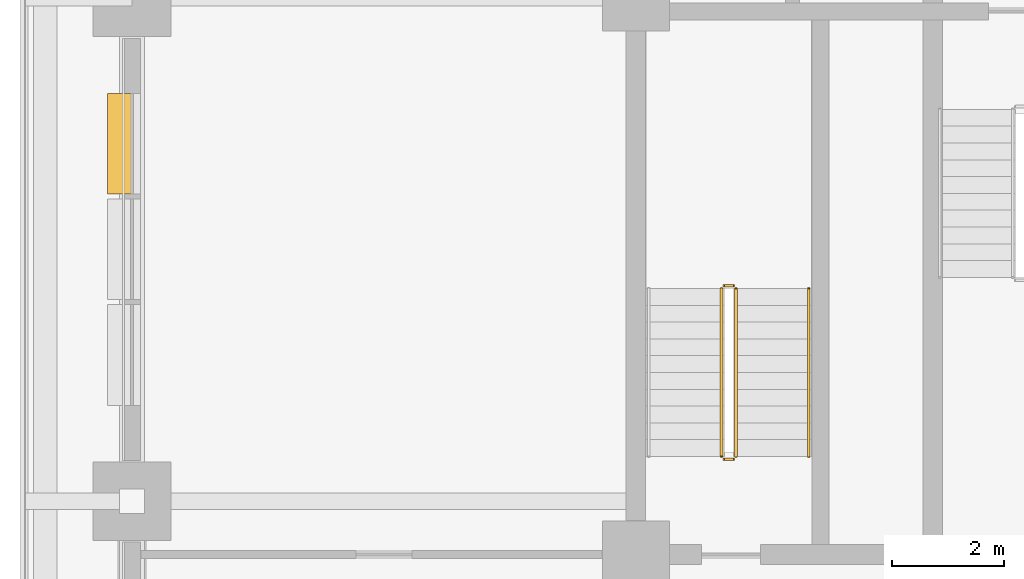
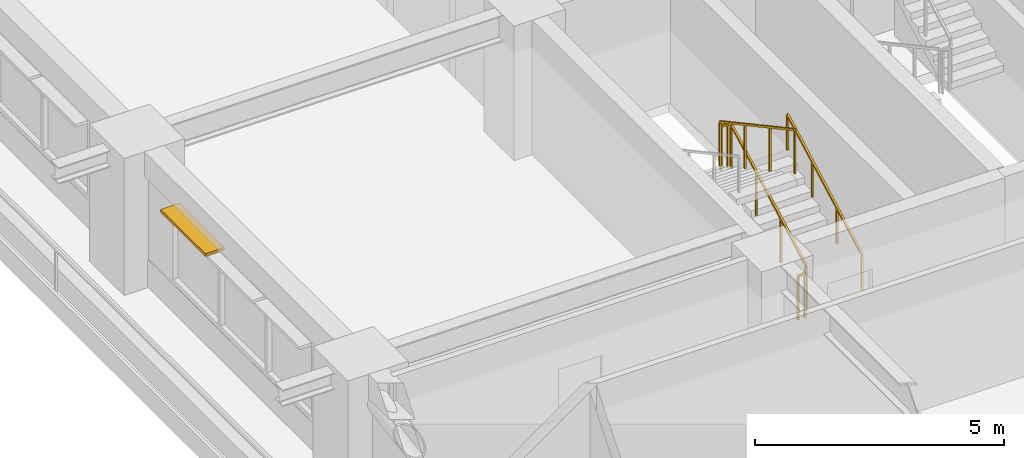
# One storey, part 14 of 20: 5 railings, 1 shading device.
"""IFC4 building model written with IfcOpenShell, lengths in metres."""

import ifcopenshell
import ifcopenshell.guid

model = None  # the IFC model being written
_history = None  # IfcOwnerHistory: only IFC2X3 demands one
_inside = {}  # id of a spatial element -> (the spatial element, [elements in it])
_under = {}  # id of a project, library or spatial element -> (it, [spatial elements below it])
_declared = {}  # id of a project -> (the project, [libraries it declares])
_typed = {}  # id of a type object -> (the type object, [elements of that type])
_made_of = {}  # id of a material, layer set ... -> (it, [elements and type objects made of it])


def new_model(schema):
    """Start an empty IFC model of exactly this schema.

    Asked for "IFC4X3", IfcOpenShell would pick the latest addendum, in which some entities
    have other attributes; the version numbers below select the first issue.
    IFC2X3 requires an IfcOwnerHistory on every rooted entity: one is made here for all.
    """
    global model, _history
    if schema == "IFC4X3":
        model = ifcopenshell.file(schema_version=(4, 3, 0, 0))
    else:
        model = ifcopenshell.file(schema=schema)
    _inside.clear()
    _under.clear()
    _declared.clear()
    _typed.clear()
    _made_of.clear()
    _history = None
    if model.schema == "IFC2X3":
        org = make("IfcOrganization", Name="unknown")
        user = make(
            "IfcPersonAndOrganization",
            ThePerson=make("IfcPerson", FamilyName="unknown"),
            TheOrganization=org,
        )
        app = make(
            "IfcApplication",
            ApplicationDeveloper=org,
            Version="unknown",
            ApplicationFullName="unknown",
            ApplicationIdentifier="unknown",
        )
        _history = make(
            "IfcOwnerHistory",
            OwningUser=user,
            OwningApplication=app,
            ChangeAction="ADDED",
            CreationDate=0,
        )
    return model


def make(cls, **values):
    """One entity of the class cls with the attributes given. An attribute that is None is left unset."""
    return model.create_entity(
        cls, **{name: value for name, value in values.items() if value is not None}
    )


def rooted(cls, **values):
    """An entity with a GlobalId (a new one), such as an element, a storey or a relation."""
    return make(cls, GlobalId=ifcopenshell.guid.new(), OwnerHistory=_history, **values)


def si_unit(unit_type, name, prefix=None):
    """IfcSIUnit, for example si_unit("LENGTHUNIT", "METRE", prefix="MILLI")."""
    return make("IfcSIUnit", UnitType=unit_type, Prefix=prefix, Name=name)


def assignment(units):
    """IfcUnitAssignment: the units of a project."""
    return None if units is None else make("IfcUnitAssignment", Units=units)


def point(xyz):
    """IfcCartesianPoint."""
    return None if xyz is None else make("IfcCartesianPoint", Coordinates=xyz)


def direction(xyz):
    """IfcDirection."""
    return None if xyz is None else make("IfcDirection", DirectionRatios=xyz)


def frame(location, z_axis=None, x_axis=None):
    """IfcAxis2Placement3D, a coordinate frame: its origin and axes. An axis left out is left unset."""
    return make(
        "IfcAxis2Placement3D",
        Location=point(location),
        Axis=direction(z_axis),
        RefDirection=direction(x_axis),
    )


def frame_2d(location, x_axis=None):
    """IfcAxis2Placement2D, a coordinate frame in the plane: its origin and x axis."""
    return make(
        "IfcAxis2Placement2D", Location=point(location), RefDirection=direction(x_axis)
    )


def origin():
    """The frame at (0, 0, 0) with its axes left unset."""
    return frame((0.0, 0.0, 0.0))


def origin_2d():
    """The frame at (0, 0) in the plane with its x axis left unset."""
    return frame_2d((0.0, 0.0))


def place(relative_to, where):
    """IfcLocalPlacement: puts the frame where relative to a parent placement (None: the world)."""
    return make(
        "IfcLocalPlacement", PlacementRelTo=relative_to, RelativePlacement=where
    )


def context(
    kind, dimensions, precision=None, world=None, true_north=None, identifier=None
):
    """IfcGeometricRepresentationContext, for example the 3D "Model" context."""
    return make(
        "IfcGeometricRepresentationContext",
        ContextIdentifier=identifier,
        ContextType=kind,
        CoordinateSpaceDimension=dimensions,
        Precision=precision,
        WorldCoordinateSystem=world,
        TrueNorth=true_north,
    )


def subcontext(parent, identifier, kind, view, scale=None):
    """IfcGeometricRepresentationSubContext, for example "Body" below "Model"."""
    return make(
        "IfcGeometricRepresentationSubContext",
        ContextIdentifier=identifier,
        ContextType=kind,
        ParentContext=parent,
        TargetScale=scale,
        TargetView=view,
    )


def project(units=None, contexts=None):
    """IfcProject with its units and contexts."""
    return rooted(
        "IfcProject",
        Name="project",
        RepresentationContexts=contexts,
        UnitsInContext=assignment(units),
    )


def spatial(cls, under=None, at=None, **own):
    """A site, building, storey or space (cls), placed at a placement, below another one or the project."""
    s = rooted(cls, ObjectPlacement=at, **own)
    if under is not None:
        _under.setdefault(under.id(), (under, []))[1].append(s)
    return s


def profile(cls, at=None, kind="AREA", **sizes):
    """A parametric profile (cls). Its sizes go by their IFC names, for example OverallWidth=200.0."""
    return make(cls, ProfileType=kind, Position=at, **sizes)


def rectangle(**sizes):
    """IfcRectangleProfileDef."""
    return profile("IfcRectangleProfileDef", **sizes)


def extrude(swept, where, along, depth):
    """IfcExtrudedAreaSolid: the profile swept, set in the frame where, extruded along a direction by depth."""
    return make(
        "IfcExtrudedAreaSolid",
        SweptArea=swept,
        Position=where,
        ExtrudedDirection=direction(along),
        Depth=depth,
    )


def shape(context_of_items, identifier, shape_type, items):
    """IfcShapeRepresentation: the items that make up one representation, for example the "Body"."""
    return make(
        "IfcShapeRepresentation",
        ContextOfItems=context_of_items,
        RepresentationIdentifier=identifier,
        RepresentationType=shape_type,
        Items=items,
    )


def material(Name=None, Category=None):
    """IfcMaterial."""
    return make("IfcMaterial", Name=Name, Category=Category)


def layer(
    of_material, thickness, ventilated=None, Name=None, Category=None, Priority=None
):
    """IfcMaterialLayer: one layer of a wall or slab, of a material (None: an air gap)."""
    return make(
        "IfcMaterialLayer",
        Material=of_material,
        LayerThickness=thickness,
        IsVentilated=ventilated,
        Name=Name,
        Category=Category,
        Priority=Priority,
    )


def layer_set(layers, Name=None):
    """IfcMaterialLayerSet."""
    return make("IfcMaterialLayerSet", MaterialLayers=layers, LayerSetName=Name)


def made_of(thing, what):
    """Note that an element or type object is made of a material, layer set ...; save() writes the relation."""
    if what is not None:
        _made_of.setdefault(what.id(), (what, []))[1].append(thing)
    return thing


def type_object(cls, material=None, **own):
    """A type object (cls), such as IfcWallType, which elements share."""
    return made_of(rooted(cls, **own), material)


def element(
    cls,
    number,
    at=None,
    inside=None,
    cuts=None,
    type_object=None,
    material=None,
    context=None,
    identifier="Body",
    shape_type=None,
    held_by="IfcProductDefinitionShape",
    body=None,
    shapes=None,
    **own,
):
    """One element of the class cls, such as IfcWall. Its Tag is "e" and its number.

    at: its placement. inside: the storey or other place that contains it. cuts: it is an
    opening in that element (IfcRelVoidsElement). A single representation is given by context,
    identifier, shape_type and body (its items); several are given by shapes. held_by: the class
    of the entity that holds the representations. save() writes the other relations.
    """
    e = rooted(cls, Tag="e%d" % number, ObjectPlacement=at, **own)
    if body is not None:
        shapes = [shape(context, identifier, shape_type, body)]
    if shapes is not None:
        e.Representation = make(held_by, Representations=shapes)
    if inside is not None:
        _inside.setdefault(inside.id(), (inside, []))[1].append(e)
    if cuts is not None:
        rooted(
            "IfcRelVoidsElement", RelatingBuildingElement=cuts, RelatedOpeningElement=e
        )
    if type_object is not None:
        _typed.setdefault(type_object.id(), (type_object, []))[1].append(e)
    return made_of(e, material)


def aggregate(whole, parts):
    """IfcRelAggregates: a whole, such as a stair, and the parts it consists of."""
    return rooted("IfcRelAggregates", RelatingObject=whole, RelatedObjects=parts)


def save(model, path):
    """Write the relations noted so far, then the file.

    IfcRelAggregates (storeys below a building ...), IfcRelContainedInSpatialStructure (elements
    in a storey), IfcRelDefinesByType, IfcRelAssociatesMaterial and IfcRelDeclares: one each for
    every whole, place, type object, material and project.
    """
    for whole, parts in _under.values():
        aggregate(whole, parts)
    for where, things in _inside.values():
        rooted(
            "IfcRelContainedInSpatialStructure",
            RelatedElements=things,
            RelatingStructure=where,
        )
    for kind, things in _typed.values():
        rooted("IfcRelDefinesByType", RelatedObjects=things, RelatingType=kind)
    for what, things in _made_of.values():
        rooted("IfcRelAssociatesMaterial", RelatedObjects=things, RelatingMaterial=what)
    for by, libraries in _declared.values():
        rooted("IfcRelDeclares", RelatingContext=by, RelatedDefinitions=libraries)
    model.write(path)


model = new_model("IFC4")

# Units and contexts
model_context = context("Model", 3, precision=1e-05, world=origin(), true_north=direction((0.0, 1.0)))
body_context = subcontext(model_context, "Body", "Model", "MODEL_VIEW")
ifc_project = project(units=[si_unit("LENGTHUNIT", "METRE"), si_unit("AREAUNIT", "SQUARE_METRE"), si_unit("VOLUMEUNIT", "CUBIC_METRE"), si_unit("PLANEANGLEUNIT", "RADIAN"), si_unit("MASSUNIT", "GRAM", prefix="KILO")], contexts=[model_context])

# Site, building, storey
site_placement = place(None, origin())
site = spatial("IfcSite", under=ifc_project, at=site_placement, CompositionType="ELEMENT")
building_placement = place(site_placement, origin())
building = spatial("IfcBuilding", under=site, at=building_placement, Name="Zulmaris Gate Convention Tower", CompositionType="ELEMENT")
storey_placement = place(building_placement, frame((0.0, 0.0, 75.0400390625)))
storey = spatial("IfcBuildingStorey", under=building, at=storey_placement, Name="L18", CompositionType="ELEMENT", Elevation=75.0400390625)

# Railings
ifc_material_1 = material(Name="Painted Galvanised Steel", Category="steel")
railing_type_1 = type_object("IfcRailingType", Name="RL-STG-1150", PredefinedType="GUARDRAIL", material=ifc_material_1)
railing_1_placement = place(storey_placement, frame((-18.2099609375, -8.199951171875, 0.162109375)))
element("IfcRailing", 1, at=railing_1_placement, inside=storey, type_object=railing_type_1, Name="L18 ST-3 stair guard 1", PredefinedType="GUARDRAIL", context=body_context, shape_type="SweptSolid", body=[
    extrude(rectangle(XDim=0.048095703125, YDim=0.048095703125, at=origin_2d()), frame((0.0, 0.0, 1.076171875), z_axis=(0.0, 0.8795616155, 0.475784998228), x_axis=(-1.0, 0.0, 0.0)), (0.0, 0.0, 1.0), 3.410888671875),
    extrude(rectangle(XDim=0.0419921875, YDim=0.0419921875, at=origin_2d()), origin(), (0.0, 0.0, 1.0), 1.052001953125),
    extrude(rectangle(XDim=0.0419921875, YDim=0.0419921875, at=origin_2d()), frame((0.0, 1.0, 0.541015625)), (0.0, 0.0, 1.0), 1.052001953125),
    extrude(rectangle(XDim=0.0419921875, YDim=0.0419921875, at=origin_2d()), frame((0.0, 2.0, 1.081787109375)), (0.0, 0.0, 1.0), 1.052001953125),
    extrude(rectangle(XDim=0.0419921875, YDim=0.0419921875, at=origin_2d()), frame((0.0, 3.0, 1.622802734375)), (0.0, 0.0, 1.0), 1.052001953125),
])
railing_2_placement = place(storey_placement, frame((-18.260009765625, -5.14990234375, 1.784912109375)))
element("IfcRailing", 2, at=railing_2_placement, inside=storey, type_object=railing_type_1, Name="L18 ST-3 stair guard 2", PredefinedType="GUARDRAIL", context=body_context, shape_type="SweptSolid", body=[
    extrude(rectangle(XDim=0.048095703125, YDim=0.048095703125, at=origin_2d()), frame((0.0, 0.0, 1.076171875), z_axis=(-1.0, 0.0, 0.0), x_axis=(0.0, -1.0, 0.0)), (0.0, 0.0, 1.0), 0.159912109375),
    extrude(rectangle(XDim=0.0419921875, YDim=0.0419921875, at=origin_2d()), origin(), (0.0, 0.0, 1.0), 1.052001953125),
    extrude(rectangle(XDim=0.0419921875, YDim=0.0419921875, at=origin_2d()), frame((-0.159912109375, 0.0, 0.0)), (0.0, 0.0, 1.0), 1.052001953125),
])
railing_3_placement = place(storey_placement, frame((-18.469970703125, -5.199951171875, 1.947265625)))
element("IfcRailing", 3, at=railing_3_placement, inside=storey, type_object=railing_type_1, Name="L18 ST-3 stair guard 3", PredefinedType="GUARDRAIL", context=body_context, shape_type="SweptSolid", body=[
    extrude(rectangle(XDim=0.048095703125, YDim=0.048095703125, at=origin_2d()), frame((0.0, 0.0, 1.076171875), z_axis=(0.0, -0.879591569277, 0.475729619907), x_axis=(1.0, 0.0, 0.0)), (0.0, 0.0, 1.0), 3.41064453125),
    extrude(rectangle(XDim=0.0419921875, YDim=0.0419921875, at=origin_2d()), origin(), (0.0, 0.0, 1.0), 1.052001953125),
    extrude(rectangle(XDim=0.0419921875, YDim=0.0419921875, at=origin_2d()), frame((0.0, -1.0, 0.540771484375)), (0.0, 0.0, 1.0), 1.052001953125),
    extrude(rectangle(XDim=0.0419921875, YDim=0.0419921875, at=origin_2d()), frame((0.0, -2.0, 1.081787109375)), (0.0, 0.0, 1.0), 1.052001953125),
    extrude(rectangle(XDim=0.0419921875, YDim=0.0419921875, at=origin_2d()), frame((0.0, -3.0, 1.62255859375)), (0.0, 0.0, 1.0), 1.052001953125),
])
railing_4_placement = place(storey_placement, frame((-18.260009765625, -8.25, 0.0)))
element("IfcRailing", 4, at=railing_4_placement, inside=storey, type_object=railing_type_1, Name="L18 ST-3 stair guard 4", PredefinedType="GUARDRAIL", context=body_context, shape_type="SweptSolid", body=[
    extrude(rectangle(XDim=0.048095703125, YDim=0.048095703125, at=origin_2d()), frame((0.0, 0.0, 1.076171875), z_axis=(-1.0, 0.0, 0.0), x_axis=(0.0, -1.0, 0.0)), (0.0, 0.0, 1.0), 0.159912109375),
    extrude(rectangle(XDim=0.0419921875, YDim=0.0419921875, at=origin_2d()), origin(), (0.0, 0.0, 1.0), 1.052001953125),
    extrude(rectangle(XDim=0.0419921875, YDim=0.0419921875, at=origin_2d()), frame((-0.159912109375, 0.0, 0.0)), (0.0, 0.0, 1.0), 1.052001953125),
])
ifc_material_2 = material(Name="Brushed Stainless Steel", Category="steel")
railing_type_2 = type_object("IfcRailingType", Name="RL-STH-900", PredefinedType="HANDRAIL", material=ifc_material_2)
railing_5_placement = place(storey_placement, frame((-16.909912109375, -8.199951171875, 0.162109375)))
element("IfcRailing", 5, at=railing_5_placement, inside=storey, type_object=railing_type_2, Name="L18 ST-3 stair handrail 1", PredefinedType="HANDRAIL", context=body_context, shape_type="SweptSolid", body=[
    extrude(rectangle(XDim=0.048095703125, YDim=0.048095703125, at=origin_2d()), frame((0.0, 0.0, 0.8759765625), z_axis=(0.0, 0.8795616155, 0.475784998228), x_axis=(-1.0, 0.0, 0.0)), (0.0, 0.0, 1.0), 3.410888671875),
    extrude(rectangle(XDim=0.0419921875, YDim=0.0419921875, at=origin_2d()), origin(), (0.0, 0.0, 1.0), 0.851806640625),
    extrude(rectangle(XDim=0.0419921875, YDim=0.0419921875, at=origin_2d()), frame((0.0, 1.0, 0.541015625)), (0.0, 0.0, 1.0), 0.851806640625),
    extrude(rectangle(XDim=0.0419921875, YDim=0.0419921875, at=origin_2d()), frame((0.0, 2.0, 1.081787109375)), (0.0, 0.0, 1.0), 0.851806640625),
    extrude(rectangle(XDim=0.0419921875, YDim=0.0419921875, at=origin_2d()), frame((0.0, 3.0, 1.622802734375)), (0.0, 0.0, 1.0), 0.851806640625),
])

# Shading device
ifc_material_3 = material(Name="Glazed Ceramic Terracotta", Category="masonry")
ifc_layer = layer(ifc_material_3, 0.070068359375, Name="Glazed Ceramic Terracotta")
ifc_layer_set = layer_set([ifc_layer], Name="Glazed Ceramic Terracotta")
shading_device_type = type_object("IfcShadingDeviceType", Name="SHD-SUNSHADE-TC", PredefinedType="AWNING", material=ifc_layer_set)
shading_device_placement = place(storey_placement, frame((-29.219970703125, -1.715087890625, 2.530029296875), z_axis=(0.0, 0.0, 1.0), x_axis=(0.0, -1.0, 0.0)))
element("IfcShadingDevice", 6, at=shading_device_placement, inside=storey, type_object=shading_device_type, Name="SHD-EW-L18-W-1_0-1", PredefinedType="AWNING", context=body_context, shape_type="SweptSolid", body=[
    extrude(rectangle(XDim=1.7998046875, YDim=0.43994140625, at=frame_2d((0.89990234375, 0.0))), origin(), (0.0, 0.0, 1.0), 0.06982421875),
])

save(model, "model.ifc")
